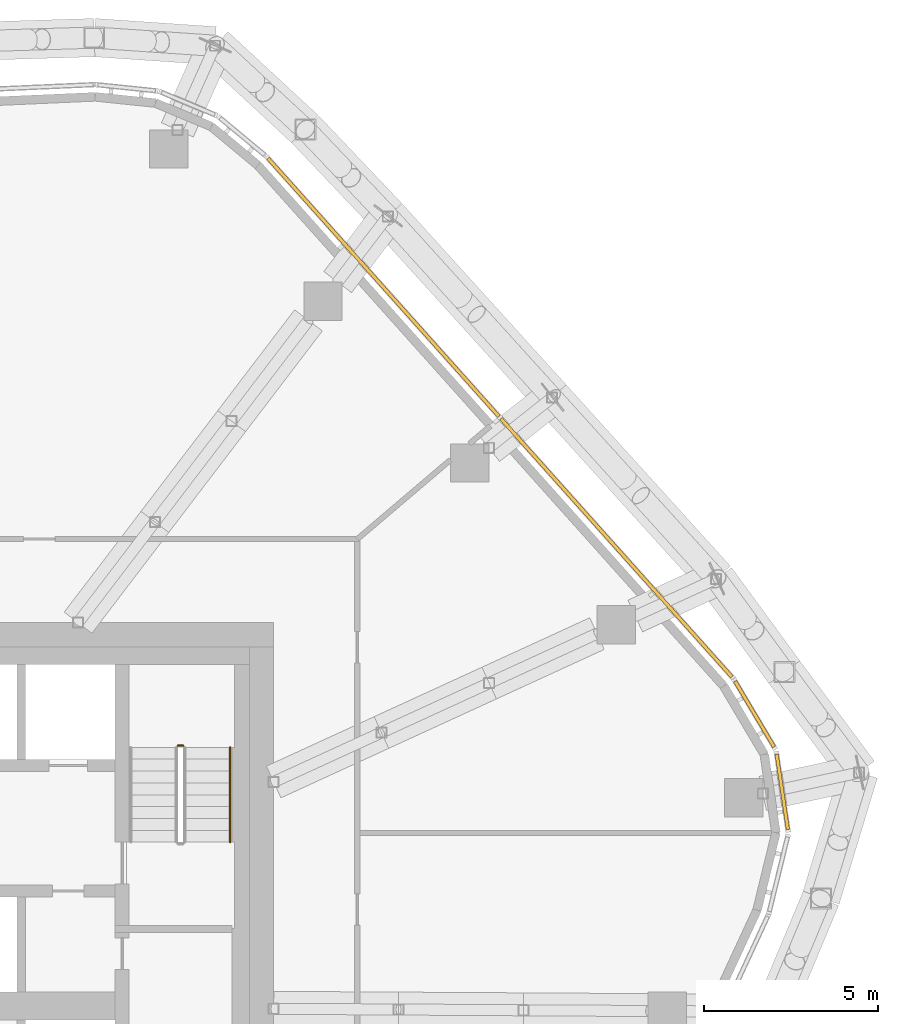
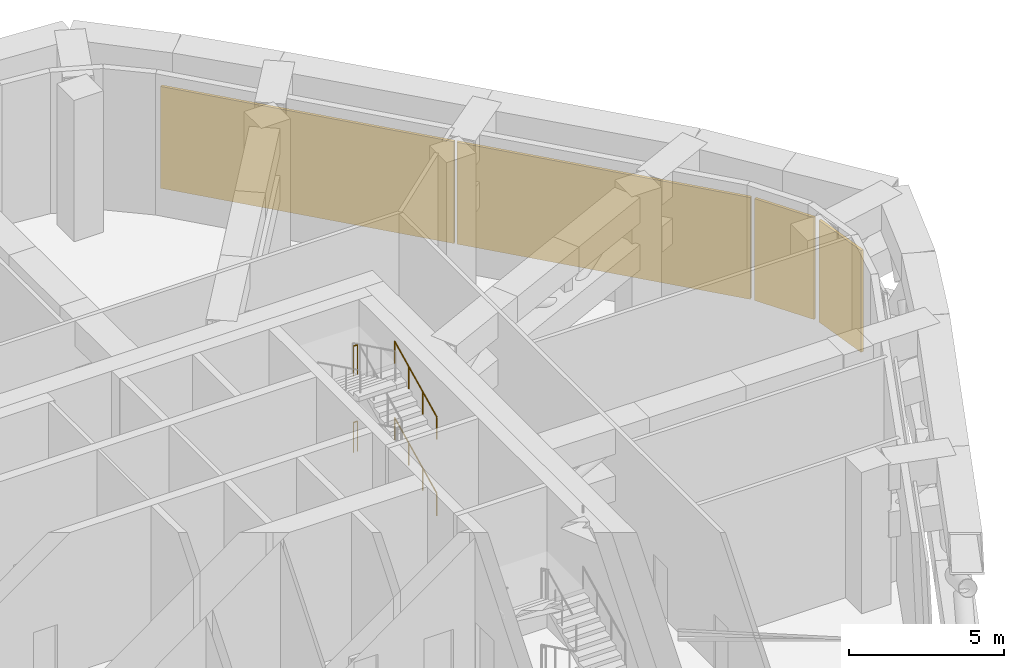
# One storey, part 30 of 31: 4 coverings, 4 railings, 2 elements without a shape of their own.
"""IFC4 building model written with IfcOpenShell, lengths in metres."""

from ifc_helpers import new_model, si_unit, direction, frame, origin, origin_2d, place, context, subcontext, project, spatial, rectangle, circle, extrude, material, layer, layer_set, type_object, element, aggregate, save


model = new_model("IFC4")

# Units and contexts
model_context = context("Model", 3, precision=1e-05, world=origin(), true_north=direction((0.0, 1.0)))
body_context = subcontext(model_context, "Body", "Model", "MODEL_VIEW")
ifc_project = project(units=[si_unit("LENGTHUNIT", "METRE"), si_unit("AREAUNIT", "SQUARE_METRE"), si_unit("VOLUMEUNIT", "CUBIC_METRE"), si_unit("PLANEANGLEUNIT", "RADIAN"), si_unit("MASSUNIT", "GRAM", prefix="KILO")], contexts=[model_context])

# Site, building, storey
site_placement = place(None, origin())
site = spatial("IfcSite", under=ifc_project, at=site_placement, CompositionType="ELEMENT")
building_placement = place(site_placement, origin())
building = spatial("IfcBuilding", under=site, at=building_placement, Name="Dongbaek Canopy Tower", CompositionType="ELEMENT")
storey_placement = place(building_placement, frame((0.0, 0.0, 283.199951171875)))
storey = spatial("IfcBuildingStorey", under=building, at=storey_placement, Name="L60", CompositionType="ELEMENT", Elevation=283.199951171875)

# Curtain wall, coverings
ifc_material_1 = material(Name="Aluminium 6063-T6 pale anodised", Category="aluminium")
ifc_layer_1 = layer(ifc_material_1, 0.14990234375)
ifc_layer_set_1 = layer_set([ifc_layer_1], Name="CW-7 louvre curtain wall")
curtain_wall_type = type_object("IfcCurtainWallType", Name="CW-7 louvre curtain wall", PredefinedType="NOTDEFINED", material=ifc_layer_set_1)
curtain_wall_1_placement = place(storey_placement, origin())
curtain_wall_1 = element("IfcCurtainWall", 1, at=curtain_wall_1_placement, inside=storey, type_object=curtain_wall_type, Name="CW-7 louvre wall L60 K0", PredefinedType="NOTDEFINED")
ifc_material_2 = material(Name="Aluminium 6063-T6 pale metal louvre blades", Category="aluminium")
ifc_layer_2 = layer(ifc_material_2, 0.10009765625)
ifc_layer_set_2 = layer_set([ifc_layer_2], Name="Louvre LV bank 100 x 4000")
covering_type = type_object("IfcCoveringType", Name="Louvre LV bank 100 x 4000", PredefinedType="CLADDING", material=ifc_layer_set_2)
covering_1_placement = place(storey_placement, frame((28.6005859375, 6.144775390625, 0.775146484375), z_axis=(0.0, 0.0, 1.0), x_axis=(-0.147441670683, 0.989070752649, 0.0)))
covering_1 = element("IfcCovering", 2, at=covering_1_placement, type_object=covering_type, Name="Louvre L60 K0.2.1", PredefinedType="CLADDING", context=body_context, shape_type="SweptSolid", body=[
    extrude(rectangle(XDim=2.18310546875, YDim=0.10009765625, at=origin_2d()), origin(), (0.0, 0.0, 1.0), 4.0),
])
covering_2_placement = place(storey_placement, frame((27.804931640625, 8.377685546875, 0.775146484375), z_axis=(0.0, 0.0, 1.0), x_axis=(-0.510545557445, 0.859850704351, 0.0)))
covering_2 = element("IfcCovering", 3, at=covering_2_placement, type_object=covering_type, Name="Louvre L60 K0.3.1", PredefinedType="CLADDING", context=body_context, shape_type="SweptSolid", body=[
    extrude(rectangle(XDim=2.193115234375, YDim=0.10009765625, at=origin_2d()), origin(), (0.0, 0.0, 1.0), 4.0),
])
aggregate(curtain_wall_1, [covering_1, covering_2])

curtain_wall_2_placement = place(storey_placement, origin())
curtain_wall_2 = element("IfcCurtainWall", 4, at=curtain_wall_2_placement, inside=storey, type_object=curtain_wall_type, Name="CW-7 louvre wall L60 F0", PredefinedType="NOTDEFINED")
covering_3_placement = place(storey_placement, frame((23.838623046875, 13.15185546875, 0.775146484375), z_axis=(0.0, 0.0, 1.0), x_axis=(-0.666674480113, 0.745349003867, 0.0)))
covering_3 = element("IfcCovering", 5, at=covering_3_placement, type_object=covering_type, Name="Louvre L60 F0.1.1", PredefinedType="CLADDING", context=body_context, shape_type="SweptSolid", body=[
    extrude(rectangle(XDim=9.940185546875, YDim=0.10009765625, at=origin_2d()), origin(), (0.0, 0.0, 1.0), 4.0),
])
covering_4_placement = place(storey_placement, frame((17.15185546875, 20.627685546875, 0.775146484375), z_axis=(0.0, 0.0, 1.0), x_axis=(-0.666674480113, 0.745349003867, 0.0)))
covering_4 = element("IfcCovering", 6, at=covering_4_placement, type_object=covering_type, Name="Louvre L60 F0.1.2", PredefinedType="CLADDING", context=body_context, shape_type="SweptSolid", body=[
    extrude(rectangle(XDim=9.940185546875, YDim=0.10009765625, at=origin_2d()), origin(), (0.0, 0.0, 1.0), 4.0),
])
aggregate(curtain_wall_2, [covering_3, covering_4])

# Railings
ifc_material_3 = material(Name="Stainless steel tube and balusters", Category="steel")
railing_type_1 = type_object("IfcRailingType", Name="Stair guard 1200", PredefinedType="GUARDRAIL", material=ifc_material_3)
for number, where, name in (
    (7, (11.39990234375, 7.469970703125, 1.5), "L60 ST-A stair guard 2"),
    (8, (11.39990234375, 7.469970703125, 4.5), "L60 ST-A stair guard 6"),
):
    element("IfcRailing", number, at=place(storey_placement, frame(where)), inside=storey, type_object=railing_type_1, Name=name, PredefinedType="GUARDRAIL", context=body_context, shape_type="SweptSolid", body=[
        extrude(circle(Radius=0.02392578125, at=origin_2d()), frame((0.0, 0.0, 1.17578125), z_axis=(-1.0, 0.0, 0.0), x_axis=(0.0, -1.0, 0.0)), (0.0, 0.0, 1.0), 0.14990234375),
        extrude(circle(Radius=0.02099609375, at=origin_2d()), origin(), (0.0, 0.0, 1.0), 1.15185546875),
        extrude(circle(Radius=0.02099609375, at=origin_2d()), frame((-0.14990234375, 0.0, 0.0)), (0.0, 0.0, 1.0), 1.15185546875),
    ])
ifc_material_4 = material(Name="Stainless steel tube", Category="steel")
railing_type_2 = type_object("IfcRailingType", Name="Stair handrail 900", PredefinedType="HANDRAIL", material=ifc_material_4)
for number, where, name in (
    (9, (12.75, 4.699951171875, 0.166748046875), "L60 ST-A stair handrail 1"),
    (10, (12.75, 4.699951171875, 3.166748046875), "L60 ST-A stair handrail 3"),
):
    element("IfcRailing", number, at=place(storey_placement, frame(where)), inside=storey, type_object=railing_type_2, Name=name, PredefinedType="HANDRAIL", context=body_context, shape_type="SweptSolid", body=[
        extrude(circle(Radius=0.02392578125, at=origin_2d()), frame((0.0, 0.0, 0.8759765625), z_axis=(0.0, 0.897929466783, 0.4401393787), x_axis=(-1.0, 0.0, 0.0)), (0.0, 0.0, 1.0), 3.029052734375),
        extrude(circle(Radius=0.02099609375, at=origin_2d()), origin(), (0.0, 0.0, 1.0), 0.851806640625),
        extrude(circle(Radius=0.02099609375, at=origin_2d()), frame((0.0, 0.90673828125, 0.4443359375)), (0.0, 0.0, 1.0), 0.851806640625),
        extrude(circle(Radius=0.02099609375, at=origin_2d()), frame((0.0, 1.813232421875, 0.888916015625)), (0.0, 0.0, 1.0), 0.851806640625),
        extrude(circle(Radius=0.02099609375, at=origin_2d()), frame((0.0, 2.719970703125, 1.333251953125)), (0.0, 0.0, 1.0), 0.851806640625),
    ])

save(model, "model.ifc")
